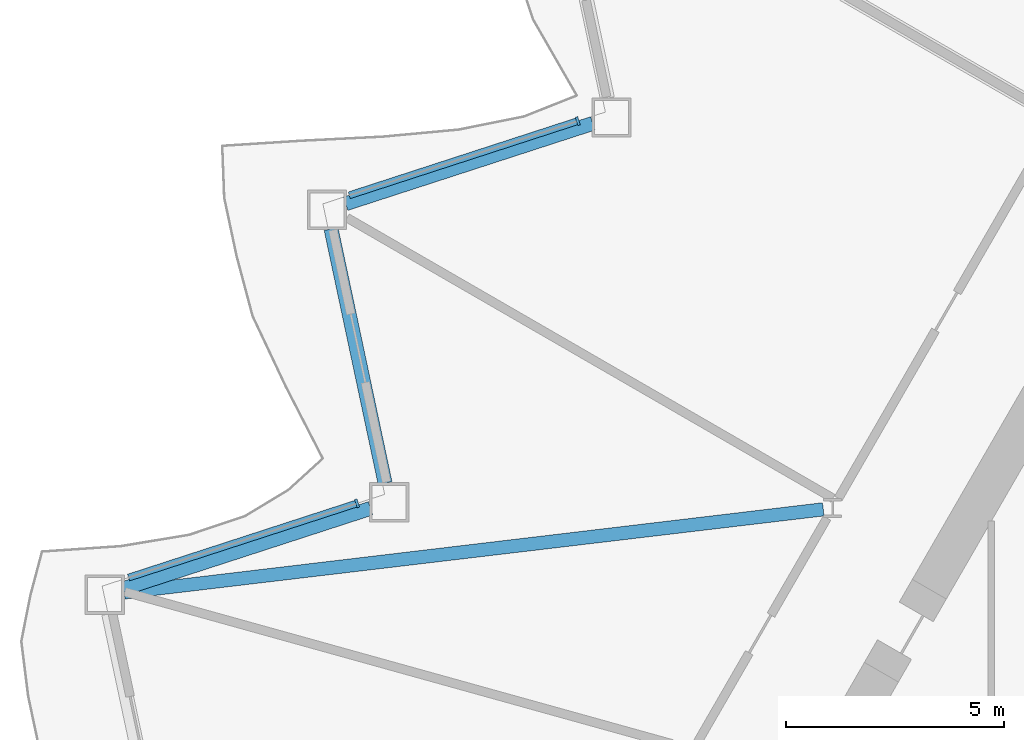
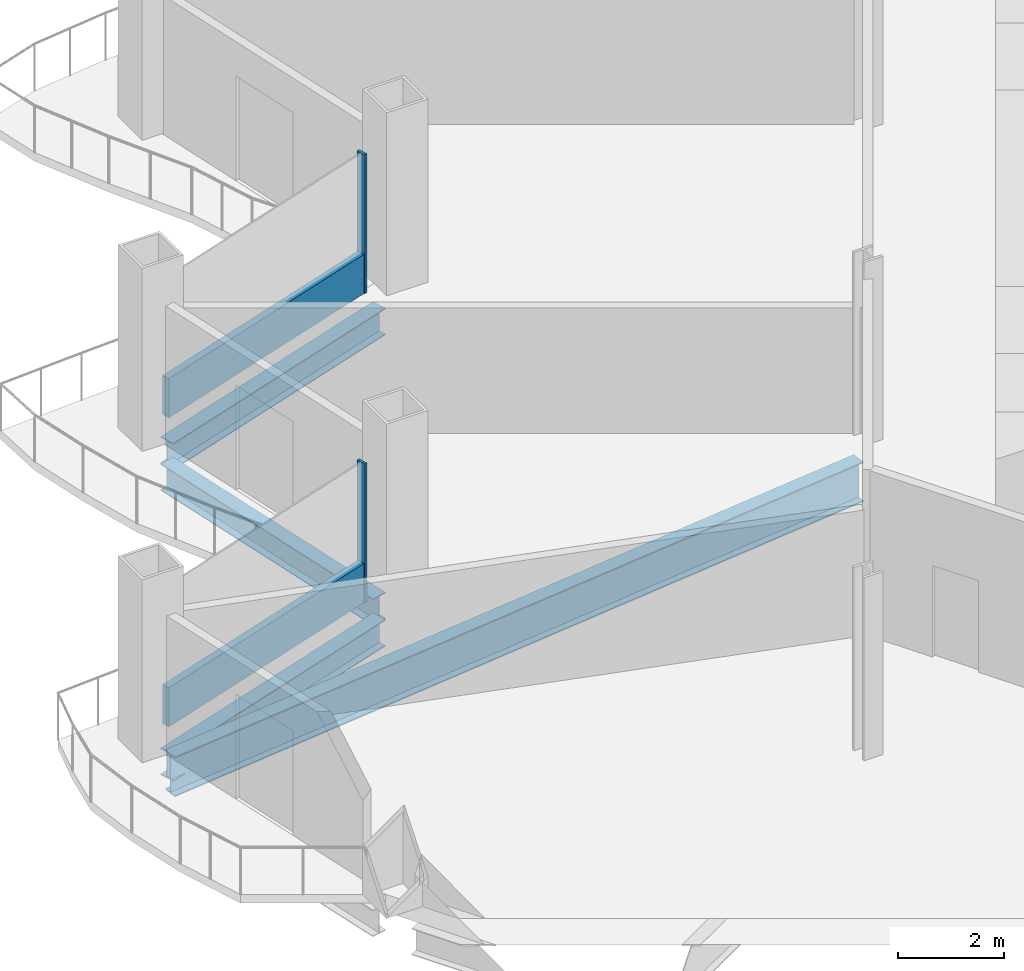
# One storey, part 4 of 21: 4 beams, 4 members, 2 elements without a shape of their own.
"""IFC4 building model written with IfcOpenShell, lengths in metres."""

from ifc_helpers import new_model, si_unit, direction, frame, origin, origin_2d, place, context, subcontext, project, spatial, rectangle, i_section, extrude, material, layer, layer_set, material_profile, profile_set, type_object, element, aggregate, save


model = new_model("IFC4")

# Units and contexts
model_context = context("Model", 3, precision=1e-05, world=origin(), true_north=direction((0.0, 1.0)))
body_context = subcontext(model_context, "Body", "Model", "MODEL_VIEW")
ifc_project = project(units=[si_unit("LENGTHUNIT", "METRE"), si_unit("AREAUNIT", "SQUARE_METRE"), si_unit("VOLUMEUNIT", "CUBIC_METRE"), si_unit("PLANEANGLEUNIT", "RADIAN"), si_unit("MASSUNIT", "GRAM", prefix="KILO")], contexts=[model_context])

# Site, building, storey
site_placement = place(None, origin())
site = spatial("IfcSite", under=ifc_project, at=site_placement, CompositionType="ELEMENT")
building_placement = place(site_placement, origin())
building = spatial("IfcBuilding", under=site, at=building_placement, Name="Cormorant Prow Tower", CompositionType="ELEMENT")
storey_placement = place(building_placement, frame((0.0, 0.0, 137.39990234375)))
storey = spatial("IfcBuildingStorey", under=building, at=storey_placement, Name="L29", CompositionType="ELEMENT", Elevation=137.39990234375)

# Curtain wall, member
ifc_material_1 = material(Name="Aluminium 6063-T6", Category="aluminium")
ifc_layer = layer(ifc_material_1, 0.199951171875)
ifc_layer_set = layer_set([ifc_layer], Name="Aluminium 6063-T6")
curtain_wall_type = type_object("IfcCurtainWallType", Name="Office unitised curtain wall 200", PredefinedType="NOTDEFINED", material=ifc_layer_set)
curtain_wall_1_placement = place(storey_placement, origin())
curtain_wall_1 = element("IfcCurtainWall", 1, at=curtain_wall_1_placement, inside=storey, type_object=curtain_wall_type, Name="Office curtain wall WNW06", PredefinedType="NOTDEFINED")
ifc_material_2 = material(Name="Aluminium 6063-T6", Category="aluminium")
ifc_material_profile_1 = material_profile(ifc_material_2, rectangle(XDim=0.199951171875, YDim=0.06005859375, at=origin_2d()), Name="Office mullion 60x200")
ifc_profile_set_1 = profile_set([ifc_material_profile_1], Name="Aluminium 6063-T6")
member_type_1 = type_object("IfcMemberType", Name="Office mullion 60x200", PredefinedType="MULLION", material=ifc_profile_set_1)
member_1_placement = place(storey_placement, frame((-21.341796875, 5.902099609375, 0.0), z_axis=(0.0, 0.0, 1.0), x_axis=(0.3090170088, -0.951056511608, 0.0)))
member_1 = element("IfcMember", 2, at=member_1_placement, type_object=member_type_1, Name="Office mullion WNW06", PredefinedType="MULLION", context=body_context, shape_type="SweptSolid", body=[
    extrude(rectangle(XDim=0.199951171875, YDim=0.06005859375, at=origin_2d()), origin(), (0.0, 0.0, 1.0), 3.18896484375),
])

curtain_wall_2_placement = place(storey_placement, origin())
curtain_wall_2 = element("IfcCurtainWall", 3, at=curtain_wall_2_placement, inside=storey, type_object=curtain_wall_type, Name="Office curtain wall WNW08", PredefinedType="NOTDEFINED")
member_2_placement = place(storey_placement, frame((-26.40625, -2.869873046875, 0.0), z_axis=(0.0, 0.0, 1.0), x_axis=(0.3090170088, -0.951056511608, 0.0)))
member_2 = element("IfcMember", 4, at=member_2_placement, type_object=member_type_1, Name="Office mullion WNW08", PredefinedType="MULLION", context=body_context, shape_type="SweptSolid", body=[
    extrude(rectangle(XDim=0.199951171875, YDim=0.06005859375, at=origin_2d()), origin(), (0.0, 0.0, 1.0), 3.18896484375),
])

# Member
ifc_material_3 = material(Name="Terracotta", Category="masonry")
ifc_material_profile_2 = material_profile(ifc_material_3, rectangle(XDim=0.159912109375, YDim=0.89990234375, at=origin_2d()), Name="Office terracotta spandrel rail 160x900")
ifc_profile_set_2 = profile_set([ifc_material_profile_2], Name="Terracotta")
member_type_2 = type_object("IfcMemberType", Name="Office terracotta spandrel rail 160x900", PredefinedType="USERDEFINED", material=ifc_profile_set_2)
member_3_placement = place(storey_placement, frame((-21.370361328125, 5.892822265625, 0.4501953125), z_axis=(-0.951055990121, -0.309018613767, 0.0), x_axis=(0.309018613767, -0.951055990121, 0.0)))
member_3 = element("IfcMember", 5, at=member_3_placement, type_object=member_type_2, Name="Office spandrel rail WNW06", ObjectType="TRANSOM", PredefinedType="USERDEFINED", context=body_context, shape_type="SweptSolid", body=[
    extrude(rectangle(XDim=0.159912109375, YDim=0.89990234375, at=origin_2d()), origin(), (0.0, 0.0, 1.0), 5.48291015625),
])

aggregate(curtain_wall_1, [member_1, member_3])

member_4_placement = place(storey_placement, frame((-26.434814453125, -2.879150390625, 0.4501953125), z_axis=(-0.951055990121, -0.309018613767, 0.0), x_axis=(0.309018613767, -0.951055990121, 0.0)))
member_4 = element("IfcMember", 6, at=member_4_placement, type_object=member_type_2, Name="Office spandrel rail WNW08", ObjectType="TRANSOM", PredefinedType="USERDEFINED", context=body_context, shape_type="SweptSolid", body=[
    extrude(rectangle(XDim=0.159912109375, YDim=0.89990234375, at=origin_2d()), origin(), (0.0, 0.0, 1.0), 5.48291015625),
])

aggregate(curtain_wall_2, [member_2, member_4])

# Beams
ifc_material_4 = material(Name="Structural steel ASTM A992 Gr 50", Category="steel")
ifc_material_profile_3 = material_profile(ifc_material_4, i_section(OverallWidth=0.3046875, OverallDepth=0.914794921875, WebThickness=0.0166015625, FlangeThickness=0.02587890625, at=origin_2d()), Name="W36x160")
ifc_profile_set_3 = profile_set([ifc_material_profile_3], Name="Structural steel ASTM A992 Gr 50")
beam_type_1 = type_object("IfcBeamType", Name="Radial floor beam W36x160", PredefinedType="BEAM", material=ifc_profile_set_3)
beam_1_placement = place(storey_placement, frame((-15.70849609375, -3.00732421875, -0.857177734375), z_axis=(-0.993009167646, -0.118037252474, 0.0), x_axis=(0.118037252474, -0.993009167646, 0.0)))
element("IfcBeam", 7, at=beam_1_placement, inside=storey, type_object=beam_type_1, Name="Radial floor beam FB1 4 L29", PredefinedType="BEAM", context=body_context, shape_type="SweptSolid", body=[
    extrude(i_section(OverallWidth=0.3046875, OverallDepth=0.914794921875, WebThickness=0.0166015625, FlangeThickness=0.02587890625, at=origin_2d()), origin(), (0.0, 0.0, 1.0), 16.15380859375),
])
ifc_material_5 = material(Name="Structural steel ASTM A992 Gr 50", Category="steel")
ifc_material_profile_4 = material_profile(ifc_material_5, i_section(OverallWidth=0.32373046875, OverallDepth=0.611083984375, WebThickness=0.0126953125, FlangeThickness=0.01904296875, at=origin_2d()), Name="W24x104")
ifc_profile_set_4 = profile_set([ifc_material_profile_4], Name="Structural steel ASTM A992 Gr 50")
beam_type_2 = type_object("IfcBeamType", Name="Spandrel beam W24x104", PredefinedType="SPANDREL", material=ifc_profile_set_4)
beam_2_placement = place(storey_placement, frame((-20.99755859375, 5.847900390625, -0.70556640625), z_axis=(-0.951055430656, -0.309020335608, 0.0), x_axis=(0.309020335608, -0.951055430656, 0.0)))
element("IfcBeam", 8, at=beam_2_placement, inside=storey, type_object=beam_type_2, Name="Spandrel beam SB1 WNW06-WNW07 L29", PredefinedType="SPANDREL", context=body_context, shape_type="SweptSolid", body=[
    extrude(i_section(OverallWidth=0.32373046875, OverallDepth=0.611083984375, WebThickness=0.0126953125, FlangeThickness=0.01904296875, at=origin_2d()), origin(), (0.0, 0.0, 1.0), 5.96240234375),
])
for number, where, z_axis, x_axis, name in (
    (9, (-27.002685546875, 3.426025390625, -0.70556640625), (0.207920947907, -0.978145633033, 0.0), (0.978145633033, 0.207920947907, 0.0), "Spandrel beam SB1 WNW07-WNW08 L29"),
    (10, (-26.097412109375, -2.985595703125, -0.70556640625), (-0.951059340519, -0.309008302174, 0.0), (0.309008302174, -0.951059340519, 0.0), "Spandrel beam SB1 WNW08-WNW09 L29"),
):
    element("IfcBeam", number, at=place(storey_placement, frame(where, z_axis=z_axis, x_axis=x_axis)), inside=storey, type_object=beam_type_2, Name=name, PredefinedType="SPANDREL", context=body_context, shape_type="SweptSolid", body=[
        extrude(i_section(OverallWidth=0.32373046875, OverallDepth=0.611083984375, WebThickness=0.0126953125, FlangeThickness=0.01904296875, at=origin_2d()), origin(), (0.0, 0.0, 1.0), 5.962646484375),
    ])

save(model, "model.ifc")
